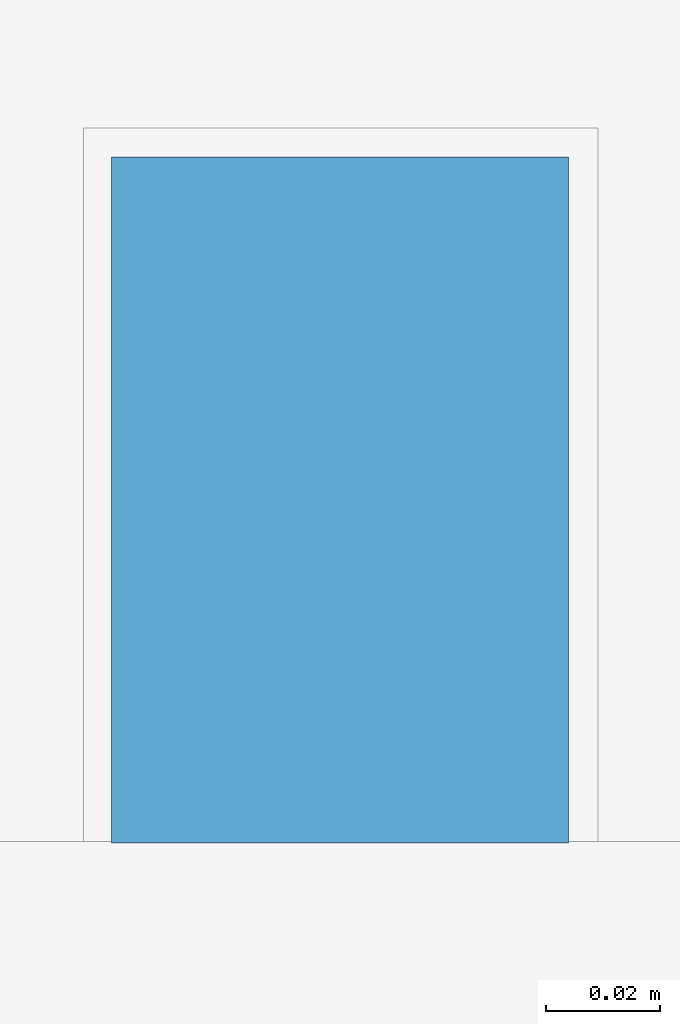
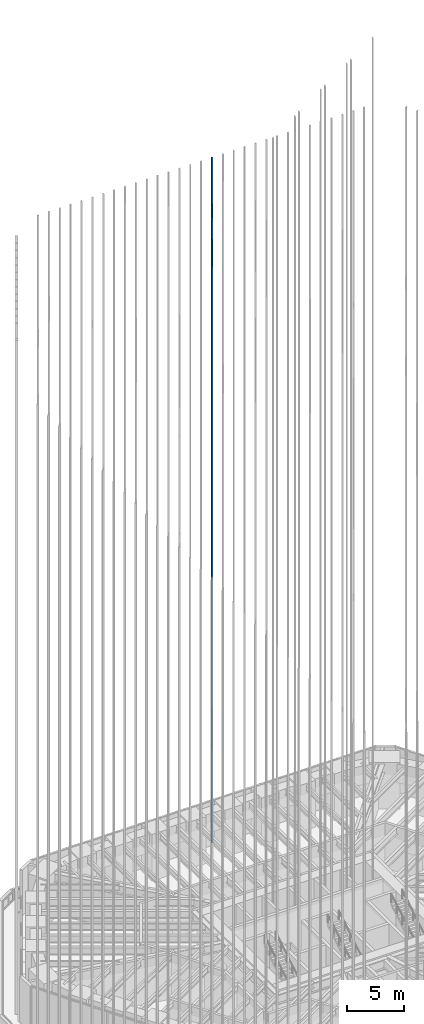
# One storey, part 175 of 228: 1 member, 1 element without a shape of its own.
"""IFC4 building model written with IfcOpenShell, lengths in metres."""

from ifc_helpers import new_model, si_unit, direction, frame, origin, origin_2d, place, context, subcontext, project, spatial, rectangle, extrude, material, material_profile, profile_set, type_object, element, aggregate, save


model = new_model("IFC4")

# Units and contexts
model_context = context("Model", 3, precision=1e-05, world=origin(), true_north=direction((0.0, 1.0)))
body_context = subcontext(model_context, "Body", "Model", "MODEL_VIEW")
ifc_project = project(units=[si_unit("LENGTHUNIT", "METRE"), si_unit("AREAUNIT", "SQUARE_METRE"), si_unit("VOLUMEUNIT", "CUBIC_METRE"), si_unit("PLANEANGLEUNIT", "RADIAN"), si_unit("MASSUNIT", "GRAM", prefix="KILO")], contexts=[model_context])

# Site, building, storey
site_placement = place(None, origin())
site = spatial("IfcSite", under=ifc_project, at=site_placement, CompositionType="ELEMENT")
building_placement = place(site_placement, origin())
building = spatial("IfcBuilding", under=site, at=building_placement, Name="Sandreach Pilgrim Tower", CompositionType="ELEMENT")
storey_placement = place(building_placement, frame((0.0, 0.0, 178.199951171875)))
storey = spatial("IfcBuildingStorey", under=building, at=storey_placement, Name="L44", CompositionType="ELEMENT", Elevation=178.199951171875)

# Curtain wall, member
ifc_material_1 = material(Name="Aluminium framed curtain wall", Category="aluminium")
curtain_wall_type = type_object("IfcCurtainWallType", Name="Upper hotel tower curtain wall", PredefinedType="NOTDEFINED", material=ifc_material_1)
curtain_wall_placement = place(storey_placement, origin())
curtain_wall = element("IfcCurtainWall", 1, at=curtain_wall_placement, inside=storey, type_object=curtain_wall_type, Name="CW-3 L44 N", PredefinedType="NOTDEFINED")
ifc_material_2 = material(Name="Extruded terracotta on aluminium core", Category="masonry")
ifc_material_profile = material_profile(ifc_material_2, rectangle(XDim=0.080078125, YDim=0.1201171875, at=origin_2d()), Name="TBN 80X120")
ifc_profile_set = profile_set([ifc_material_profile], Name="Extruded terracotta on aluminium core")
member_type = type_object("IfcMemberType", Name="Terracotta baguette north", PredefinedType="USERDEFINED", material=ifc_profile_set)
member_placement = place(storey_placement, frame((1.099853515625, 21.52001953125, 0.0), z_axis=(0.0, 0.0, 1.0), x_axis=(1.0, 0.0, 0.0)))
member = element("IfcMember", 2, at=member_placement, type_object=member_type, Name="Baguette Z3 N17", ObjectType="BAGUETTE", PredefinedType="USERDEFINED", context=body_context, shape_type="SweptSolid", body=[
    extrude(rectangle(XDim=0.080078125, YDim=0.1201171875, at=origin_2d()), origin(), (0.0, 0.0, 1.0), 73.239990234375),
])
aggregate(curtain_wall, [member])

save(model, "model.ifc")
